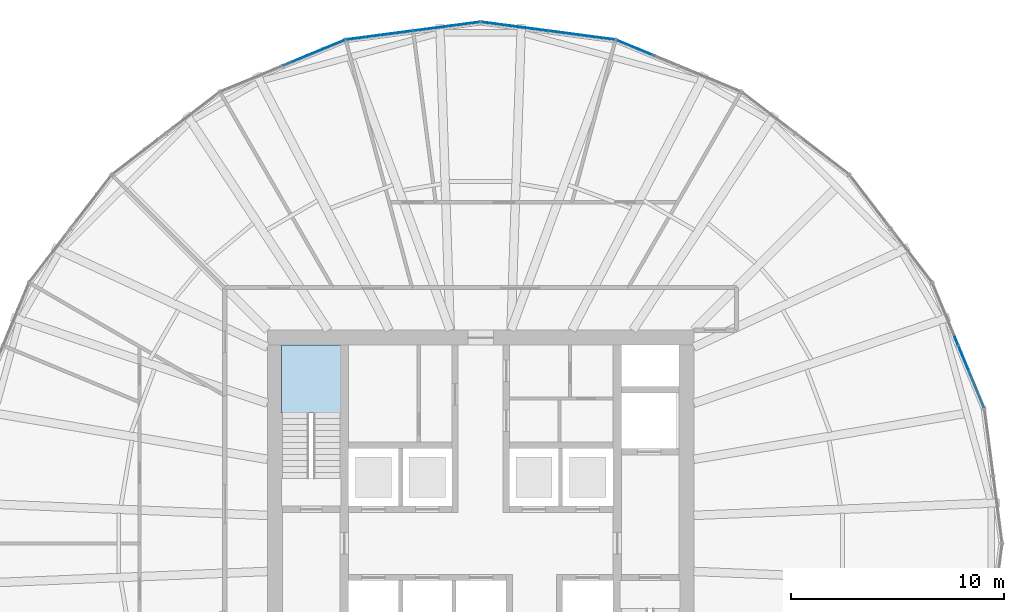
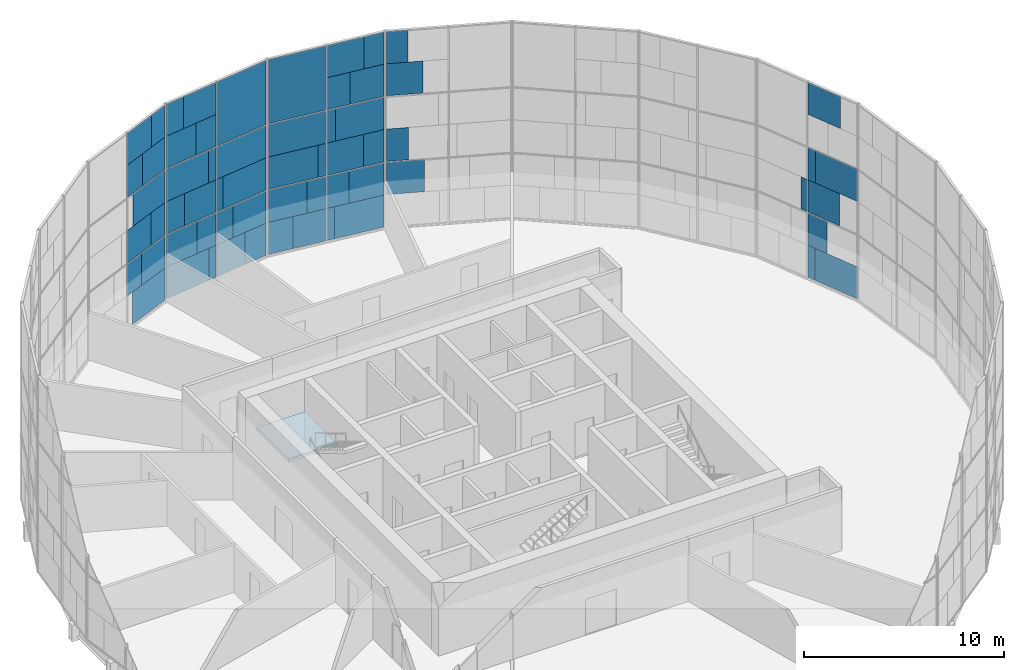
# One storey, part 16 of 22: 62 plates, 1 slab, 6 elements without a shape of their own.
"""IFC4 building model written with IfcOpenShell, lengths in metres."""

from ifc_helpers import new_model, si_unit, direction, frame, origin, origin_2d, place, context, subcontext, project, spatial, polyline, rectangle, outline, extrude, material, layer, layer_set, type_object, element, aggregate, save


model = new_model("IFC4")

# Units and contexts
model_context = context("Model", 3, precision=1e-05, world=origin(), true_north=direction((0.0, 1.0)))
body_context = subcontext(model_context, "Body", "Model", "MODEL_VIEW")
ifc_project = project(units=[si_unit("LENGTHUNIT", "METRE"), si_unit("AREAUNIT", "SQUARE_METRE"), si_unit("VOLUMEUNIT", "CUBIC_METRE"), si_unit("PLANEANGLEUNIT", "RADIAN"), si_unit("MASSUNIT", "GRAM", prefix="KILO")], contexts=[model_context])

# Site, building, storey
site_placement = place(None, origin())
site = spatial("IfcSite", under=ifc_project, at=site_placement, CompositionType="ELEMENT")
building_placement = place(site_placement, origin())
building = spatial("IfcBuilding", under=site, at=building_placement, Name="Golbaran Civic Tower", CompositionType="ELEMENT")
storey_placement = place(building_placement, frame((0.0, 0.0, 90.0)))
storey = spatial("IfcBuildingStorey", under=building, at=storey_placement, Name="L21", CompositionType="ELEMENT", Elevation=90.0)

# Curtain wall, plates
ifc_material_1 = material(Name="Aluminium and glass", Category="aluminium")
curtain_wall_type = type_object("IfcCurtainWallType", Name="INNER SKIN CURTAIN WALL", PredefinedType="NOTDEFINED", material=ifc_material_1)
curtain_wall_1_placement = place(storey_placement, origin())
curtain_wall_1 = element("IfcCurtainWall", 1, at=curtain_wall_1_placement, inside=storey, type_object=curtain_wall_type, Name="Inner skin L21 facet 2 CW1", ObjectType="INNER SKIN", PredefinedType="USERDEFINED")
ifc_material_2 = material(Name="Clear insulating glass", Category="glass")
ifc_layer_1 = layer(ifc_material_2, 0.031982421875, Name="Clear insulating glass")
ifc_layer_set_1 = layer_set([ifc_layer_1], Name="Clear insulating glass")
plate_type_1 = type_object("IfcPlateType", Name="INNER SKIN CURTAIN WALL GLAZED PANEL", PredefinedType="CURTAIN_PANEL", material=ifc_layer_set_1)
plate_1_placement = place(storey_placement, frame((23.093017578125, 7.62109375, 0.06494140625), z_axis=(0.0, 0.0, 1.0), x_axis=(-0.382683432365, 0.923879532511, 0.0)))
plate_1 = element("IfcPlate", 2, at=plate_1_placement, type_object=plate_type_1, Name="CW1 panel 1.1 part 1", PredefinedType="CURTAIN_PANEL", context=body_context, shape_type="SweptSolid", body=[
    extrude(rectangle(XDim=2.6630859375, YDim=0.031982421875, at=origin_2d()), origin(), (0.0, 0.0, 1.0), 1.951171875),
])
plate_2_placement = place(storey_placement, frame((22.50830078125, 9.032958984375, 6.0), z_axis=(0.0, 0.0, 1.0), x_axis=(-0.382683432365, 0.923879532511, 0.0)))
plate_2 = element("IfcPlate", 3, at=plate_2_placement, type_object=plate_type_1, Name="CW1 panel 1.2 part 4", PredefinedType="CURTAIN_PANEL", context=body_context, shape_type="SweptSolid", body=[
    extrude(rectangle(XDim=0.47119140625, YDim=0.031982421875, at=origin_2d()), origin(), (0.0, 0.0, 1.0), 1.967529296875),
])
plate_3_placement = place(storey_placement, frame((22.804443359375, 8.31787109375, 9.98388671875), z_axis=(0.0, 0.0, 1.0), x_axis=(-0.382683432365, 0.923879532511, 0.0)))
plate_3 = element("IfcPlate", 4, at=plate_3_placement, type_object=plate_type_1, Name="CW1 panel 1.3 part 4", PredefinedType="CURTAIN_PANEL", context=body_context, shape_type="SweptSolid", body=[
    extrude(rectangle(XDim=2.019287109375, YDim=0.031982421875, at=origin_2d()), origin(), (0.0, 0.0, 1.0), 1.951171875),
])

curtain_wall_2_placement = place(storey_placement, origin())
curtain_wall_2 = element("IfcCurtainWall", 5, at=curtain_wall_2_placement, inside=storey, type_object=curtain_wall_type, Name="Inner skin L21 facet 5 CW1", ObjectType="INNER SKIN", PredefinedType="USERDEFINED")
plate_4_placement = place(storey_placement, frame((7.271240234375, 23.238037109375, 2.016357421875), z_axis=(0.0, 0.0, 1.0), x_axis=(-0.923879532511, 0.382683432365, 0.0)))
plate_4 = element("IfcPlate", 6, at=plate_4_placement, type_object=plate_type_1, Name="CW1 panel 2.1 part 4", PredefinedType="CURTAIN_PANEL", context=body_context, shape_type="SweptSolid", body=[
    extrude(rectangle(XDim=1.9052734375, YDim=0.031982421875, at=origin_2d()), origin(), (0.0, 0.0, 1.0), 1.951171875),
])
plate_5_placement = place(storey_placement, frame((6.90625, 23.38916015625, 4.03271484375), z_axis=(0.0, 0.0, 1.0), x_axis=(-0.923879532511, 0.382683432365, 0.0)))
plate_5 = element("IfcPlate", 7, at=plate_5_placement, type_object=plate_type_1, Name="CW1 panel 2.2 part 2", PredefinedType="CURTAIN_PANEL", context=body_context, shape_type="SweptSolid", body=[
    extrude(rectangle(XDim=1.115234375, YDim=0.031982421875, at=origin_2d()), origin(), (0.0, 0.0, 1.0), 1.967529296875),
])

curtain_wall_3_placement = place(storey_placement, origin())
curtain_wall_3 = element("IfcCurtainWall", 8, at=curtain_wall_3_placement, inside=storey, type_object=curtain_wall_type, Name="Inner skin L21 facet 6 CW1", ObjectType="INNER SKIN", PredefinedType="USERDEFINED")
plate_6_placement = place(storey_placement, frame((4.946533203125, 23.809814453125, 0.06494140625), z_axis=(0.0, 0.0, 1.0), x_axis=(-0.991444861376, 0.130526192203, 0.0)))
plate_6 = element("IfcPlate", 9, at=plate_6_placement, type_object=plate_type_1, Name="CW1 panel 1.1 part 1", PredefinedType="CURTAIN_PANEL", context=body_context, shape_type="SweptSolid", body=[
    extrude(rectangle(XDim=2.6630859375, YDim=0.031982421875, at=origin_2d()), origin(), (0.0, 0.0, 1.0), 1.951171875),
])
plate_7_placement = place(storey_placement, frame((5.322265625, 23.76025390625, 2.016357421875), z_axis=(0.0, 0.0, 1.0), x_axis=(-0.991444861376, 0.130526192203, 0.0)))
plate_7 = element("IfcPlate", 10, at=plate_7_placement, type_object=plate_type_1, Name="CW1 panel 1.1 part 3", PredefinedType="CURTAIN_PANEL", context=body_context, shape_type="SweptSolid", body=[
    extrude(rectangle(XDim=1.905029296875, YDim=0.031982421875, at=origin_2d()), origin(), (0.0, 0.0, 1.0), 1.951171875),
])
plate_8_placement = place(storey_placement, frame((5.71337890625, 23.708740234375, 4.03271484375), z_axis=(0.0, 0.0, 1.0), x_axis=(-0.991444861376, 0.130526192203, 0.0)))
plate_8 = element("IfcPlate", 11, at=plate_8_placement, type_object=plate_type_1, Name="CW1 panel 1.2 part 1", PredefinedType="CURTAIN_PANEL", context=body_context, shape_type="SweptSolid", body=[
    extrude(rectangle(XDim=1.115966796875, YDim=0.031982421875, at=origin_2d()), origin(), (0.0, 0.0, 1.0), 1.967529296875),
])
plate_9_placement = place(storey_placement, frame((3.431396484375, 24.00927734375, 6.0), z_axis=(0.0, 0.0, 1.0), x_axis=(-0.991444861376, 0.130526192203, 0.0)))
plate_9 = element("IfcPlate", 12, at=plate_9_placement, type_object=plate_type_1, Name="CW1 panel 1.2 part 4", PredefinedType="CURTAIN_PANEL", context=body_context, shape_type="SweptSolid", body=[
    extrude(rectangle(XDim=0.47119140625, YDim=0.031982421875, at=origin_2d()), origin(), (0.0, 0.0, 1.0), 1.967529296875),
])
plate_10_placement = place(storey_placement, frame((3.822998046875, 23.957763671875, 8.032470703125), z_axis=(0.0, 0.0, 1.0), x_axis=(-0.991444861376, 0.130526192203, 0.0)))
plate_10 = element("IfcPlate", 13, at=plate_10_placement, type_object=plate_type_1, Name="CW1 panel 1.3 part 2", PredefinedType="CURTAIN_PANEL", context=body_context, shape_type="SweptSolid", body=[
    extrude(rectangle(XDim=1.26123046875, YDim=0.031982421875, at=origin_2d()), origin(), (0.0, 0.0, 1.0), 1.951171875),
])
plate_11_placement = place(storey_placement, frame((4.19873046875, 23.908203125, 9.98388671875), z_axis=(0.0, 0.0, 1.0), x_axis=(-0.991444861376, 0.130526192203, 0.0)))
plate_11 = element("IfcPlate", 14, at=plate_11_placement, type_object=plate_type_1, Name="CW1 panel 1.3 part 4", PredefinedType="CURTAIN_PANEL", context=body_context, shape_type="SweptSolid", body=[
    extrude(rectangle(XDim=2.019287109375, YDim=0.031982421875, at=origin_2d()), origin(), (0.0, 0.0, 1.0), 1.951171875),
])
plate_12_placement = place(storey_placement, frame((0.721923828125, 24.365966796875, 0.06494140625), z_axis=(0.0, 0.0, 1.0), x_axis=(-0.991444861376, 0.130526192203, 0.0)))
plate_12 = element("IfcPlate", 15, at=plate_12_placement, type_object=plate_type_1, Name="CW1 panel 2.1 part 2", PredefinedType="CURTAIN_PANEL", context=body_context, shape_type="SweptSolid", body=[
    extrude(rectangle(XDim=1.326416015625, YDim=0.031982421875, at=origin_2d()), origin(), (0.0, 0.0, 1.0), 1.951171875),
])
plate_13_placement = place(storey_placement, frame((1.09765625, 24.31640625, 2.016357421875), z_axis=(0.0, 0.0, 1.0), x_axis=(-0.991444861376, 0.130526192203, 0.0)))
plate_13 = element("IfcPlate", 16, at=plate_13_placement, type_object=plate_type_1, Name="CW1 panel 2.1 part 4", PredefinedType="CURTAIN_PANEL", context=body_context, shape_type="SweptSolid", body=[
    extrude(rectangle(XDim=2.084228515625, YDim=0.031982421875, at=origin_2d()), origin(), (0.0, 0.0, 1.0), 1.951171875),
])
plate_14_placement = place(storey_placement, frame((1.400634765625, 24.276611328125, 4.03271484375), z_axis=(0.0, 0.0, 1.0), x_axis=(-0.991444861376, 0.130526192203, 0.0)))
plate_14 = element("IfcPlate", 17, at=plate_14_placement, type_object=plate_type_1, Name="CW1 panel 2.2 part 2", PredefinedType="CURTAIN_PANEL", context=body_context, shape_type="SweptSolid", body=[
    extrude(rectangle(XDim=2.6953125, YDim=0.031982421875, at=origin_2d()), origin(), (0.0, 0.0, 1.0), 1.967529296875),
])
plate_15_placement = place(storey_placement, frame((1.598876953125, 24.25048828125, 6.0), z_axis=(0.0, 0.0, 1.0), x_axis=(-0.991444861376, 0.130526192203, 0.0)))
plate_15 = element("IfcPlate", 18, at=plate_15_placement, type_object=plate_type_1, Name="CW1 panel 2.2 part 3", PredefinedType="CURTAIN_PANEL", context=body_context, shape_type="SweptSolid", body=[
    extrude(rectangle(XDim=3.09521484375, YDim=0.031982421875, at=origin_2d()), origin(), (0.0, 0.0, 1.0), 1.967529296875),
])
plate_16_placement = place(storey_placement, frame((1.598876953125, 24.25048828125, 8.0322265625), z_axis=(0.0, 0.0, 1.0), x_axis=(-0.991444861376, 0.130526192203, 0.0)))
plate_16 = element("IfcPlate", 19, at=plate_16_placement, type_object=plate_type_1, Name="CW1 panel 2.3", PredefinedType="CURTAIN_PANEL", context=body_context, shape_type="SweptSolid", body=[
    extrude(rectangle(XDim=3.09521484375, YDim=0.031982421875, at=origin_2d()), origin(), (0.0, 0.0, 1.0), 3.902587890625),
])

curtain_wall_4_placement = place(storey_placement, origin())
curtain_wall_4 = element("IfcCurtainWall", 20, at=curtain_wall_4_placement, inside=storey, type_object=curtain_wall_type, Name="Inner skin L21 facet 7 CW1", ObjectType="INNER SKIN", PredefinedType="USERDEFINED")
plate_17_placement = place(storey_placement, frame((-0.7216796875, 24.365966796875, 0.06494140625), z_axis=(0.0, 0.0, 1.0), x_axis=(-0.991444861376, -0.130526192203, 0.0)))
plate_17 = element("IfcPlate", 21, at=plate_17_placement, type_object=plate_type_1, Name="CW1 panel 1.1 part 1", PredefinedType="CURTAIN_PANEL", context=body_context, shape_type="SweptSolid", body=[
    extrude(rectangle(XDim=1.325927734375, YDim=0.031982421875, at=origin_2d()), origin(), (0.0, 0.0, 1.0), 1.951171875),
])
plate_18_placement = place(storey_placement, frame((-1.097412109375, 24.31640625, 2.016357421875), z_axis=(0.0, 0.0, 1.0), x_axis=(-0.991444861376, -0.130526192203, 0.0)))
plate_18 = element("IfcPlate", 22, at=plate_18_placement, type_object=plate_type_1, Name="CW1 panel 1.1 part 3", PredefinedType="CURTAIN_PANEL", context=body_context, shape_type="SweptSolid", body=[
    extrude(rectangle(XDim=2.083984375, YDim=0.031982421875, at=origin_2d()), origin(), (0.0, 0.0, 1.0), 1.951171875),
])
plate_19_placement = place(storey_placement, frame((-1.39990234375, 24.276611328125, 4.03271484375), z_axis=(0.0, 0.0, 1.0), x_axis=(-0.991444861376, -0.130526192203, 0.0)))
plate_19 = element("IfcPlate", 23, at=plate_19_placement, type_object=plate_type_1, Name="CW1 panel 1.2 part 1", PredefinedType="CURTAIN_PANEL", context=body_context, shape_type="SweptSolid", body=[
    extrude(rectangle(XDim=2.694091796875, YDim=0.031982421875, at=origin_2d()), origin(), (0.0, 0.0, 1.0), 1.967529296875),
])
plate_20_placement = place(storey_placement, frame((-1.598876953125, 24.25048828125, 6.0), z_axis=(0.0, 0.0, 1.0), x_axis=(-0.991444861376, -0.130526192203, 0.0)))
plate_20 = element("IfcPlate", 24, at=plate_20_placement, type_object=plate_type_1, Name="CW1 panel 1.2 part 3", PredefinedType="CURTAIN_PANEL", context=body_context, shape_type="SweptSolid", body=[
    extrude(rectangle(XDim=3.09521484375, YDim=0.031982421875, at=origin_2d()), origin(), (0.0, 0.0, 1.0), 1.967529296875),
])
plate_21_placement = place(storey_placement, frame((-1.598876953125, 24.25048828125, 8.0322265625), z_axis=(0.0, 0.0, 1.0), x_axis=(-0.991444861376, -0.130526192203, 0.0)))
plate_21 = element("IfcPlate", 25, at=plate_21_placement, type_object=plate_type_1, Name="CW1 panel 1.3", PredefinedType="CURTAIN_PANEL", context=body_context, shape_type="SweptSolid", body=[
    extrude(rectangle(XDim=3.09521484375, YDim=0.031982421875, at=origin_2d()), origin(), (0.0, 0.0, 1.0), 3.902587890625),
])
plate_22_placement = place(storey_placement, frame((-4.9462890625, 23.809814453125, 0.06494140625), z_axis=(0.0, 0.0, 1.0), x_axis=(-0.991444861376, -0.130526192203, 0.0)))
plate_22 = element("IfcPlate", 26, at=plate_22_placement, type_object=plate_type_1, Name="CW1 panel 2.1 part 2", PredefinedType="CURTAIN_PANEL", context=body_context, shape_type="SweptSolid", body=[
    extrude(rectangle(XDim=2.663330078125, YDim=0.031982421875, at=origin_2d()), origin(), (0.0, 0.0, 1.0), 1.951171875),
])
plate_23_placement = place(storey_placement, frame((-5.322021484375, 23.76025390625, 2.016357421875), z_axis=(0.0, 0.0, 1.0), x_axis=(-0.991444861376, -0.130526192203, 0.0)))
plate_23 = element("IfcPlate", 27, at=plate_23_placement, type_object=plate_type_1, Name="CW1 panel 2.1 part 4", PredefinedType="CURTAIN_PANEL", context=body_context, shape_type="SweptSolid", body=[
    extrude(rectangle(XDim=1.9052734375, YDim=0.031982421875, at=origin_2d()), origin(), (0.0, 0.0, 1.0), 1.951171875),
])
plate_24_placement = place(storey_placement, frame((-5.713623046875, 23.708740234375, 4.03271484375), z_axis=(0.0, 0.0, 1.0), x_axis=(-0.991444861376, -0.130526192203, 0.0)))
plate_24 = element("IfcPlate", 28, at=plate_24_placement, type_object=plate_type_1, Name="CW1 panel 2.2 part 2", PredefinedType="CURTAIN_PANEL", context=body_context, shape_type="SweptSolid", body=[
    extrude(rectangle(XDim=1.115234375, YDim=0.031982421875, at=origin_2d()), origin(), (0.0, 0.0, 1.0), 1.967529296875),
])
plate_25_placement = place(storey_placement, frame((-3.43115234375, 24.00927734375, 6.0), z_axis=(0.0, 0.0, 1.0), x_axis=(-0.991444861376, -0.130526192203, 0.0)))
plate_25 = element("IfcPlate", 29, at=plate_25_placement, type_object=plate_type_1, Name="CW1 panel 2.2 part 3", PredefinedType="CURTAIN_PANEL", context=body_context, shape_type="SweptSolid", body=[
    extrude(rectangle(XDim=0.470947265625, YDim=0.031982421875, at=origin_2d()), origin(), (0.0, 0.0, 1.0), 1.967529296875),
])
plate_26_placement = place(storey_placement, frame((-3.82275390625, 23.957763671875, 8.032470703125), z_axis=(0.0, 0.0, 1.0), x_axis=(-0.991444861376, -0.130526192203, 0.0)))
plate_26 = element("IfcPlate", 30, at=plate_26_placement, type_object=plate_type_1, Name="CW1 panel 2.3 part 1", PredefinedType="CURTAIN_PANEL", context=body_context, shape_type="SweptSolid", body=[
    extrude(rectangle(XDim=1.260986328125, YDim=0.031982421875, at=origin_2d()), origin(), (0.0, 0.0, 1.0), 1.951171875),
])
plate_27_placement = place(storey_placement, frame((-4.198974609375, 23.908203125, 9.98388671875), z_axis=(0.0, 0.0, 1.0), x_axis=(-0.991444861376, -0.130526192203, 0.0)))
plate_27 = element("IfcPlate", 31, at=plate_27_placement, type_object=plate_type_1, Name="CW1 panel 2.3 part 3", PredefinedType="CURTAIN_PANEL", context=body_context, shape_type="SweptSolid", body=[
    extrude(rectangle(XDim=2.02001953125, YDim=0.031982421875, at=origin_2d()), origin(), (0.0, 0.0, 1.0), 1.951171875),
])

curtain_wall_5_placement = place(storey_placement, origin())
curtain_wall_5 = element("IfcCurtainWall", 32, at=curtain_wall_5_placement, inside=storey, type_object=curtain_wall_type, Name="Inner skin L21 facet 8 CW1", ObjectType="INNER SKIN", PredefinedType="USERDEFINED")
plate_28_placement = place(storey_placement, frame((-7.62109375, 23.093017578125, 0.06494140625), z_axis=(0.0, 0.0, 1.0), x_axis=(-0.923879532511, -0.382683432365, 0.0)))
plate_28 = element("IfcPlate", 33, at=plate_28_placement, type_object=plate_type_1, Name="CW1 panel 1.1 part 1", PredefinedType="CURTAIN_PANEL", context=body_context, shape_type="SweptSolid", body=[
    extrude(rectangle(XDim=2.6630859375, YDim=0.031982421875, at=origin_2d()), origin(), (0.0, 0.0, 1.0), 1.951171875),
])
plate_29_placement = place(storey_placement, frame((-7.27099609375, 23.238037109375, 2.016357421875), z_axis=(0.0, 0.0, 1.0), x_axis=(-0.923879532511, -0.382683432365, 0.0)))
plate_29 = element("IfcPlate", 34, at=plate_29_placement, type_object=plate_type_1, Name="CW1 panel 1.1 part 3", PredefinedType="CURTAIN_PANEL", context=body_context, shape_type="SweptSolid", body=[
    extrude(rectangle(XDim=1.905029296875, YDim=0.031982421875, at=origin_2d()), origin(), (0.0, 0.0, 1.0), 1.951171875),
])
plate_30_placement = place(storey_placement, frame((-6.906494140625, 23.38916015625, 4.03271484375), z_axis=(0.0, 0.0, 1.0), x_axis=(-0.923879532511, -0.382683432365, 0.0)))
plate_30 = element("IfcPlate", 35, at=plate_30_placement, type_object=plate_type_1, Name="CW1 panel 1.2 part 1", PredefinedType="CURTAIN_PANEL", context=body_context, shape_type="SweptSolid", body=[
    extrude(rectangle(XDim=1.115966796875, YDim=0.031982421875, at=origin_2d()), origin(), (0.0, 0.0, 1.0), 1.967529296875),
])
plate_31_placement = place(storey_placement, frame((-8.66796875, 22.659423828125, 8.032470703125), z_axis=(0.0, 0.0, 1.0), x_axis=(-0.923879532511, -0.382683432365, 0.0)))
plate_31 = element("IfcPlate", 36, at=plate_31_placement, type_object=plate_type_1, Name="CW1 panel 1.3 part 2", PredefinedType="CURTAIN_PANEL", context=body_context, shape_type="SweptSolid", body=[
    extrude(rectangle(XDim=1.26123046875, YDim=0.031982421875, at=origin_2d()), origin(), (0.0, 0.0, 1.0), 1.951171875),
])
plate_32_placement = place(storey_placement, frame((-8.31787109375, 22.804443359375, 9.98388671875), z_axis=(0.0, 0.0, 1.0), x_axis=(-0.923879532511, -0.382683432365, 0.0)))
plate_32 = element("IfcPlate", 37, at=plate_32_placement, type_object=plate_type_1, Name="CW1 panel 1.3 part 4", PredefinedType="CURTAIN_PANEL", context=body_context, shape_type="SweptSolid", body=[
    extrude(rectangle(XDim=2.019287109375, YDim=0.031982421875, at=origin_2d()), origin(), (0.0, 0.0, 1.0), 1.951171875),
])

# Plate
ifc_material_3 = material(Name="Aluminium faced opaque infill panel", Category="aluminium")
ifc_layer_2 = layer(ifc_material_3, 0.031982421875, Name="Aluminium faced opaque infill panel")
ifc_layer_set_2 = layer_set([ifc_layer_2], Name="Aluminium faced opaque infill panel")
plate_type_2 = type_object("IfcPlateType", Name="INNER SKIN CURTAIN WALL OPAQUE INFILL PANEL", PredefinedType="CURTAIN_PANEL", material=ifc_layer_set_2)
plate_33_placement = place(storey_placement, frame((22.500732421875, 9.051025390625, 0.06494140625), z_axis=(0.0, 0.0, 1.0), x_axis=(-0.382683432365, 0.923879532511, 0.0)))
plate_33 = element("IfcPlate", 38, at=plate_33_placement, type_object=plate_type_2, Name="CW1 infill panel 1.1 part 2", PredefinedType="CURTAIN_PANEL", context=body_context, shape_type="SweptSolid", body=[
    extrude(rectangle(XDim=0.432373046875, YDim=0.031982421875, at=origin_2d()), origin(), (0.0, 0.0, 1.0), 1.951171875),
])

plate_34_placement = place(storey_placement, frame((22.645751953125, 8.700927734375, 2.016357421875), z_axis=(0.0, 0.0, 1.0), x_axis=(-0.382683432365, 0.923879532511, 0.0)))
plate_34 = element("IfcPlate", 39, at=plate_34_placement, type_object=plate_type_2, Name="CW1 infill panel 1.1 part 4", PredefinedType="CURTAIN_PANEL", context=body_context, shape_type="SweptSolid", body=[
    extrude(rectangle(XDim=1.190185546875, YDim=0.031982421875, at=origin_2d()), origin(), (0.0, 0.0, 1.0), 1.951171875),
])

plate_35_placement = place(storey_placement, frame((22.796875, 8.33642578125, 4.03271484375), z_axis=(0.0, 0.0, 1.0), x_axis=(-0.382683432365, 0.923879532511, 0.0)))
plate_35 = element("IfcPlate", 40, at=plate_35_placement, type_object=plate_type_2, Name="CW1 infill panel 1.2 part 2", PredefinedType="CURTAIN_PANEL", context=body_context, shape_type="SweptSolid", body=[
    extrude(rectangle(XDim=1.979248046875, YDim=0.031982421875, at=origin_2d()), origin(), (0.0, 0.0, 1.0), 1.967529296875),
])

plate_36_placement = place(storey_placement, frame((23.1005859375, 7.603271484375, 6.0), z_axis=(0.0, 0.0, 1.0), x_axis=(-0.382683432365, 0.923879532511, 0.0)))
plate_36 = element("IfcPlate", 41, at=plate_36_placement, type_object=plate_type_2, Name="CW1 infill panel 1.2 part 3", PredefinedType="CURTAIN_PANEL", context=body_context, shape_type="SweptSolid", body=[
    extrude(rectangle(XDim=2.6240234375, YDim=0.031982421875, at=origin_2d()), origin(), (0.0, 0.0, 1.0), 1.967529296875),
])

plate_37_placement = place(storey_placement, frame((22.316650390625, 9.49560546875, 4.03271484375), z_axis=(0.0, 0.0, 1.0), x_axis=(-0.382683432365, 0.923879532511, 0.0)))
plate_37 = element("IfcPlate", 42, at=plate_37_placement, type_object=plate_type_2, Name="CW1 infill panel 2.2 part 1", PredefinedType="CURTAIN_PANEL", context=body_context, shape_type="SweptSolid", body=[
    extrude(rectangle(XDim=0.39990234375, YDim=0.031982421875, at=origin_2d()), origin(), (0.0, 0.0, 1.0), 1.967529296875),
])

aggregate(curtain_wall_1, [plate_1, plate_33, plate_34, plate_35, plate_36, plate_2, plate_3, plate_37])

plate_38_placement = place(storey_placement, frame((7.23828125, 23.251708984375, 8.032470703125), z_axis=(0.0, 0.0, 1.0), x_axis=(-0.923879532511, 0.382683432365, 0.0)))
plate_38 = element("IfcPlate", 43, at=plate_38_placement, type_object=plate_type_2, Name="CW1 infill panel 2.3 part 2", PredefinedType="CURTAIN_PANEL", context=body_context, shape_type="SweptSolid", body=[
    extrude(rectangle(XDim=1.834228515625, YDim=0.031982421875, at=origin_2d()), origin(), (0.0, 0.0, 1.0), 1.951171875),
])

plate_39_placement = place(storey_placement, frame((6.8876953125, 23.39697265625, 9.98388671875), z_axis=(0.0, 0.0, 1.0), x_axis=(-0.923879532511, 0.382683432365, 0.0)))
plate_39 = element("IfcPlate", 44, at=plate_39_placement, type_object=plate_type_2, Name="CW1 infill panel 2.3 part 4", PredefinedType="CURTAIN_PANEL", context=body_context, shape_type="SweptSolid", body=[
    extrude(rectangle(XDim=1.0751953125, YDim=0.031982421875, at=origin_2d()), origin(), (0.0, 0.0, 1.0), 1.951171875),
])

aggregate(curtain_wall_2, [plate_4, plate_5, plate_38, plate_39])

plate_40_placement = place(storey_placement, frame((3.412109375, 24.01171875, 0.06494140625), z_axis=(0.0, 0.0, 1.0), x_axis=(-0.991444861376, 0.130526192203, 0.0)))
plate_40 = element("IfcPlate", 45, at=plate_40_placement, type_object=plate_type_2, Name="CW1 infill panel 1.1 part 2", PredefinedType="CURTAIN_PANEL", context=body_context, shape_type="SweptSolid", body=[
    extrude(rectangle(XDim=0.432373046875, YDim=0.031982421875, at=origin_2d()), origin(), (0.0, 0.0, 1.0), 1.951171875),
])

plate_41_placement = place(storey_placement, frame((3.787841796875, 23.96240234375, 2.016357421875), z_axis=(0.0, 0.0, 1.0), x_axis=(-0.991444861376, 0.130526192203, 0.0)))
plate_41 = element("IfcPlate", 46, at=plate_41_placement, type_object=plate_type_2, Name="CW1 infill panel 1.1 part 4", PredefinedType="CURTAIN_PANEL", context=body_context, shape_type="SweptSolid", body=[
    extrude(rectangle(XDim=1.190185546875, YDim=0.031982421875, at=origin_2d()), origin(), (0.0, 0.0, 1.0), 1.951171875),
])

plate_42_placement = place(storey_placement, frame((4.178955078125, 23.910888671875, 4.03271484375), z_axis=(0.0, 0.0, 1.0), x_axis=(-0.991444861376, 0.130526192203, 0.0)))
plate_42 = element("IfcPlate", 47, at=plate_42_placement, type_object=plate_type_2, Name="CW1 infill panel 1.2 part 2", PredefinedType="CURTAIN_PANEL", context=body_context, shape_type="SweptSolid", body=[
    extrude(rectangle(XDim=1.979248046875, YDim=0.031982421875, at=origin_2d()), origin(), (0.0, 0.0, 1.0), 1.967529296875),
])

plate_43_placement = place(storey_placement, frame((4.9658203125, 23.80712890625, 6.0), z_axis=(0.0, 0.0, 1.0), x_axis=(-0.991444861376, 0.130526192203, 0.0)))
plate_43 = element("IfcPlate", 48, at=plate_43_placement, type_object=plate_type_2, Name="CW1 infill panel 1.2 part 3", PredefinedType="CURTAIN_PANEL", context=body_context, shape_type="SweptSolid", body=[
    extrude(rectangle(XDim=2.6240234375, YDim=0.031982421875, at=origin_2d()), origin(), (0.0, 0.0, 1.0), 1.967529296875),
])

plate_44_placement = place(storey_placement, frame((5.357421875, 23.755615234375, 8.032470703125), z_axis=(0.0, 0.0, 1.0), x_axis=(-0.991444861376, 0.130526192203, 0.0)))
plate_44 = element("IfcPlate", 49, at=plate_44_placement, type_object=plate_type_2, Name="CW1 infill panel 1.3 part 1", PredefinedType="CURTAIN_PANEL", context=body_context, shape_type="SweptSolid", body=[
    extrude(rectangle(XDim=1.833984375, YDim=0.031982421875, at=origin_2d()), origin(), (0.0, 0.0, 1.0), 1.951171875),
])

plate_45_placement = place(storey_placement, frame((5.733154296875, 23.706298828125, 9.98388671875), z_axis=(0.0, 0.0, 1.0), x_axis=(-0.991444861376, 0.130526192203, 0.0)))
plate_45 = element("IfcPlate", 50, at=plate_45_placement, type_object=plate_type_2, Name="CW1 infill panel 1.3 part 3", PredefinedType="CURTAIN_PANEL", context=body_context, shape_type="SweptSolid", body=[
    extrude(rectangle(XDim=1.075927734375, YDim=0.031982421875, at=origin_2d()), origin(), (0.0, 0.0, 1.0), 1.951171875),
])

plate_46_placement = place(storey_placement, frame((2.25634765625, 24.1640625, 0.06494140625), z_axis=(0.0, 0.0, 1.0), x_axis=(-0.991444861376, 0.130526192203, 0.0)))
plate_46 = element("IfcPlate", 51, at=plate_46_placement, type_object=plate_type_2, Name="CW1 infill panel 2.1 part 1", PredefinedType="CURTAIN_PANEL", context=body_context, shape_type="SweptSolid", body=[
    extrude(rectangle(XDim=1.76904296875, YDim=0.031982421875, at=origin_2d()), origin(), (0.0, 0.0, 1.0), 1.951171875),
])

plate_47_placement = place(storey_placement, frame((2.632080078125, 24.114501953125, 2.016357421875), z_axis=(0.0, 0.0, 1.0), x_axis=(-0.991444861376, 0.130526192203, 0.0)))
plate_47 = element("IfcPlate", 52, at=plate_47_placement, type_object=plate_type_2, Name="CW1 infill panel 2.1 part 3", PredefinedType="CURTAIN_PANEL", context=body_context, shape_type="SweptSolid", body=[
    extrude(rectangle(XDim=1.010986328125, YDim=0.031982421875, at=origin_2d()), origin(), (0.0, 0.0, 1.0), 1.951171875),
])

plate_48_placement = place(storey_placement, frame((2.93505859375, 24.07470703125, 4.03271484375), z_axis=(0.0, 0.0, 1.0), x_axis=(-0.991444861376, 0.130526192203, 0.0)))
plate_48 = element("IfcPlate", 53, at=plate_48_placement, type_object=plate_type_2, Name="CW1 infill panel 2.2 part 1", PredefinedType="CURTAIN_PANEL", context=body_context, shape_type="SweptSolid", body=[
    extrude(rectangle(XDim=0.39990234375, YDim=0.031982421875, at=origin_2d()), origin(), (0.0, 0.0, 1.0), 1.967529296875),
])

aggregate(curtain_wall_3, [plate_6, plate_40, plate_7, plate_41, plate_8, plate_42, plate_43, plate_9, plate_44, plate_10, plate_45, plate_11, plate_46, plate_12, plate_47, plate_13, plate_48, plate_14, plate_15, plate_16])

plate_49_placement = place(storey_placement, frame((-2.256103515625, 24.1640625, 0.06494140625), z_axis=(0.0, 0.0, 1.0), x_axis=(-0.991444861376, -0.130526192203, 0.0)))
plate_49 = element("IfcPlate", 54, at=plate_49_placement, type_object=plate_type_2, Name="CW1 infill panel 1.1 part 2", PredefinedType="CURTAIN_PANEL", context=body_context, shape_type="SweptSolid", body=[
    extrude(rectangle(XDim=1.769287109375, YDim=0.031982421875, at=origin_2d()), origin(), (0.0, 0.0, 1.0), 1.951171875),
])

plate_50_placement = place(storey_placement, frame((-2.6318359375, 24.114501953125, 2.016357421875), z_axis=(0.0, 0.0, 1.0), x_axis=(-0.991444861376, -0.130526192203, 0.0)))
plate_50 = element("IfcPlate", 55, at=plate_50_placement, type_object=plate_type_2, Name="CW1 infill panel 1.1 part 4", PredefinedType="CURTAIN_PANEL", context=body_context, shape_type="SweptSolid", body=[
    extrude(rectangle(XDim=1.01123046875, YDim=0.031982421875, at=origin_2d()), origin(), (0.0, 0.0, 1.0), 1.951171875),
])

plate_51_placement = place(storey_placement, frame((-2.934326171875, 24.07470703125, 4.03271484375), z_axis=(0.0, 0.0, 1.0), x_axis=(-0.991444861376, -0.130526192203, 0.0)))
plate_51 = element("IfcPlate", 56, at=plate_51_placement, type_object=plate_type_2, Name="CW1 infill panel 1.2 part 2", PredefinedType="CURTAIN_PANEL", context=body_context, shape_type="SweptSolid", body=[
    extrude(rectangle(XDim=0.4013671875, YDim=0.031982421875, at=origin_2d()), origin(), (0.0, 0.0, 1.0), 1.967529296875),
])

plate_52_placement = place(storey_placement, frame((-3.411865234375, 24.01171875, 0.06494140625), z_axis=(0.0, 0.0, 1.0), x_axis=(-0.991444861376, -0.130526192203, 0.0)))
plate_52 = element("IfcPlate", 57, at=plate_52_placement, type_object=plate_type_2, Name="CW1 infill panel 2.1 part 1", PredefinedType="CURTAIN_PANEL", context=body_context, shape_type="SweptSolid", body=[
    extrude(rectangle(XDim=0.431884765625, YDim=0.031982421875, at=origin_2d()), origin(), (0.0, 0.0, 1.0), 1.951171875),
])

plate_53_placement = place(storey_placement, frame((-3.78759765625, 23.96240234375, 2.016357421875), z_axis=(0.0, 0.0, 1.0), x_axis=(-0.991444861376, -0.130526192203, 0.0)))
plate_53 = element("IfcPlate", 58, at=plate_53_placement, type_object=plate_type_2, Name="CW1 infill panel 2.1 part 3", PredefinedType="CURTAIN_PANEL", context=body_context, shape_type="SweptSolid", body=[
    extrude(rectangle(XDim=1.18994140625, YDim=0.031982421875, at=origin_2d()), origin(), (0.0, 0.0, 1.0), 1.951171875),
])

plate_54_placement = place(storey_placement, frame((-4.17919921875, 23.910888671875, 4.03271484375), z_axis=(0.0, 0.0, 1.0), x_axis=(-0.991444861376, -0.130526192203, 0.0)))
plate_54 = element("IfcPlate", 59, at=plate_54_placement, type_object=plate_type_2, Name="CW1 infill panel 2.2 part 1", PredefinedType="CURTAIN_PANEL", context=body_context, shape_type="SweptSolid", body=[
    extrude(rectangle(XDim=1.97998046875, YDim=0.031982421875, at=origin_2d()), origin(), (0.0, 0.0, 1.0), 1.967529296875),
])

plate_55_placement = place(storey_placement, frame((-4.965576171875, 23.807373046875, 6.0), z_axis=(0.0, 0.0, 1.0), x_axis=(-0.991444861376, -0.130526192203, 0.0)))
plate_55 = element("IfcPlate", 60, at=plate_55_placement, type_object=plate_type_2, Name="CW1 infill panel 2.2 part 4", PredefinedType="CURTAIN_PANEL", context=body_context, shape_type="SweptSolid", body=[
    extrude(rectangle(XDim=2.624267578125, YDim=0.031982421875, at=origin_2d()), origin(), (0.0, 0.0, 1.0), 1.967529296875),
])

plate_56_placement = place(storey_placement, frame((-5.357177734375, 23.755615234375, 8.032470703125), z_axis=(0.0, 0.0, 1.0), x_axis=(-0.991444861376, -0.130526192203, 0.0)))
plate_56 = element("IfcPlate", 61, at=plate_56_placement, type_object=plate_type_2, Name="CW1 infill panel 2.3 part 2", PredefinedType="CURTAIN_PANEL", context=body_context, shape_type="SweptSolid", body=[
    extrude(rectangle(XDim=1.834228515625, YDim=0.031982421875, at=origin_2d()), origin(), (0.0, 0.0, 1.0), 1.951171875),
])

plate_57_placement = place(storey_placement, frame((-5.7333984375, 23.7060546875, 9.98388671875), z_axis=(0.0, 0.0, 1.0), x_axis=(-0.991444861376, -0.130526192203, 0.0)))
plate_57 = element("IfcPlate", 62, at=plate_57_placement, type_object=plate_type_2, Name="CW1 infill panel 2.3 part 4", PredefinedType="CURTAIN_PANEL", context=body_context, shape_type="SweptSolid", body=[
    extrude(rectangle(XDim=1.0751953125, YDim=0.031982421875, at=origin_2d()), origin(), (0.0, 0.0, 1.0), 1.951171875),
])

aggregate(curtain_wall_4, [plate_17, plate_49, plate_18, plate_50, plate_19, plate_51, plate_20, plate_21, plate_52, plate_22, plate_53, plate_23, plate_54, plate_24, plate_25, plate_55, plate_26, plate_56, plate_27, plate_57])

plate_58_placement = place(storey_placement, frame((-8.700927734375, 22.645751953125, 2.016357421875), z_axis=(0.0, 0.0, 1.0), x_axis=(-0.923879532511, -0.382683432365, 0.0)))
plate_58 = element("IfcPlate", 63, at=plate_58_placement, type_object=plate_type_2, Name="CW1 infill panel 1.1 part 4", PredefinedType="CURTAIN_PANEL", context=body_context, shape_type="SweptSolid", body=[
    extrude(rectangle(XDim=1.190185546875, YDim=0.031982421875, at=origin_2d()), origin(), (0.0, 0.0, 1.0), 1.951171875),
])

plate_59_placement = place(storey_placement, frame((-8.33642578125, 22.796875, 4.03271484375), z_axis=(0.0, 0.0, 1.0), x_axis=(-0.923879532511, -0.382683432365, 0.0)))
plate_59 = element("IfcPlate", 64, at=plate_59_placement, type_object=plate_type_2, Name="CW1 infill panel 1.2 part 2", PredefinedType="CURTAIN_PANEL", context=body_context, shape_type="SweptSolid", body=[
    extrude(rectangle(XDim=1.979248046875, YDim=0.031982421875, at=origin_2d()), origin(), (0.0, 0.0, 1.0), 1.967529296875),
])

plate_60_placement = place(storey_placement, frame((-7.603271484375, 23.1005859375, 6.0), z_axis=(0.0, 0.0, 1.0), x_axis=(-0.923879532511, -0.382683432365, 0.0)))
plate_60 = element("IfcPlate", 65, at=plate_60_placement, type_object=plate_type_2, Name="CW1 infill panel 1.2 part 3", PredefinedType="CURTAIN_PANEL", context=body_context, shape_type="SweptSolid", body=[
    extrude(rectangle(XDim=2.6240234375, YDim=0.031982421875, at=origin_2d()), origin(), (0.0, 0.0, 1.0), 1.967529296875),
])

plate_61_placement = place(storey_placement, frame((-7.23828125, 23.251708984375, 8.032470703125), z_axis=(0.0, 0.0, 1.0), x_axis=(-0.923879532511, -0.382683432365, 0.0)))
plate_61 = element("IfcPlate", 66, at=plate_61_placement, type_object=plate_type_2, Name="CW1 infill panel 1.3 part 1", PredefinedType="CURTAIN_PANEL", context=body_context, shape_type="SweptSolid", body=[
    extrude(rectangle(XDim=1.833984375, YDim=0.031982421875, at=origin_2d()), origin(), (0.0, 0.0, 1.0), 1.951171875),
])

plate_62_placement = place(storey_placement, frame((-6.88818359375, 23.396728515625, 9.98388671875), z_axis=(0.0, 0.0, 1.0), x_axis=(-0.923879532511, -0.382683432365, 0.0)))
plate_62 = element("IfcPlate", 67, at=plate_62_placement, type_object=plate_type_2, Name="CW1 infill panel 1.3 part 3", PredefinedType="CURTAIN_PANEL", context=body_context, shape_type="SweptSolid", body=[
    extrude(rectangle(XDim=1.075927734375, YDim=0.031982421875, at=origin_2d()), origin(), (0.0, 0.0, 1.0), 1.951171875),
])

aggregate(curtain_wall_5, [plate_28, plate_29, plate_58, plate_30, plate_59, plate_60, plate_61, plate_31, plate_62, plate_32])

# Stair, slab
ifc_material_4 = material(Name="Concrete C35/45", Category="concrete")
stair_type = type_object("IfcStairType", Name="EXIT STAIR 2700 x 7550, 4000 RISE", PredefinedType="HALF_TURN_STAIR", material=ifc_material_4)
stair_placement = place(storey_placement, origin())
stair = element("IfcStair", 68, at=stair_placement, inside=storey, type_object=stair_type, Name="Stair S1 L21", PredefinedType="HALF_TURN_STAIR")
ifc_layer_3 = layer(ifc_material_4, 0.199951171875, Name="Concrete C35/45")
ifc_layer_set_3 = layer_set([ifc_layer_3], Name="Concrete C35/45")
slab_type = type_object("IfcSlabType", Name="STAIR LANDING 200", PredefinedType="LANDING", material=ifc_layer_set_3)
slab_placement = place(storey_placement, frame((0.0, 0.0, 1.800048828125)))
slab = element("IfcSlab", 69, at=slab_placement, type_object=slab_type, Name="ST27076-40 landing 1", PredefinedType="LANDING", context=body_context, shape_type="SweptSolid", body=[
    extrude(outline(polyline([(-9.35009765625, 6.125), (-9.35009765625, 9.300048828125), (-6.550048828125, 9.300048828125), (-6.550048828125, 6.125), (-9.35009765625, 6.125)])), origin(), (0.0, 0.0, 1.0), 0.199951171875),
])
aggregate(stair, [slab])

save(model, "model.ifc")
